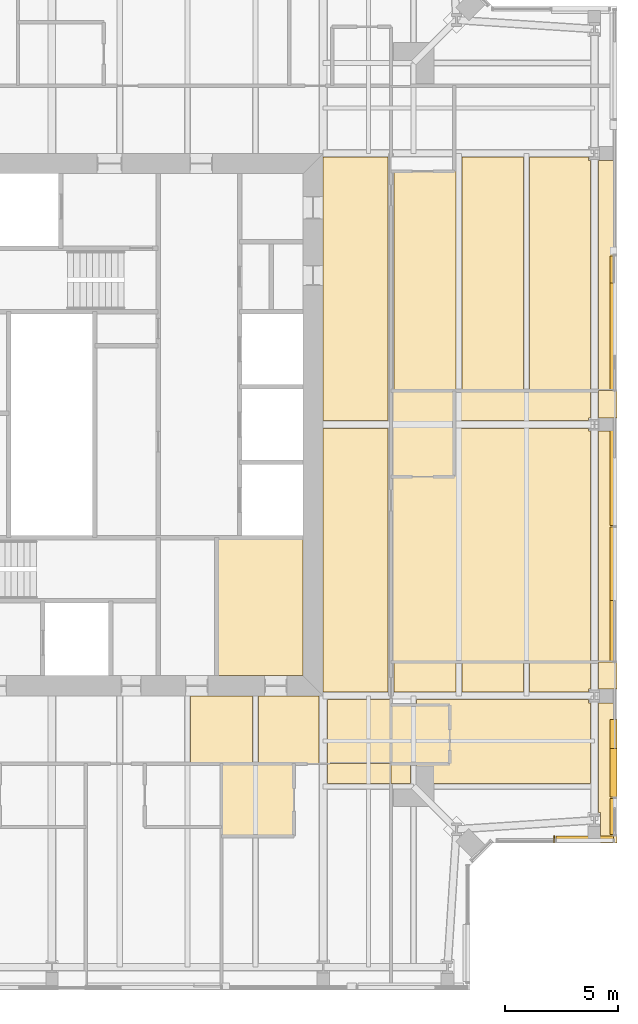
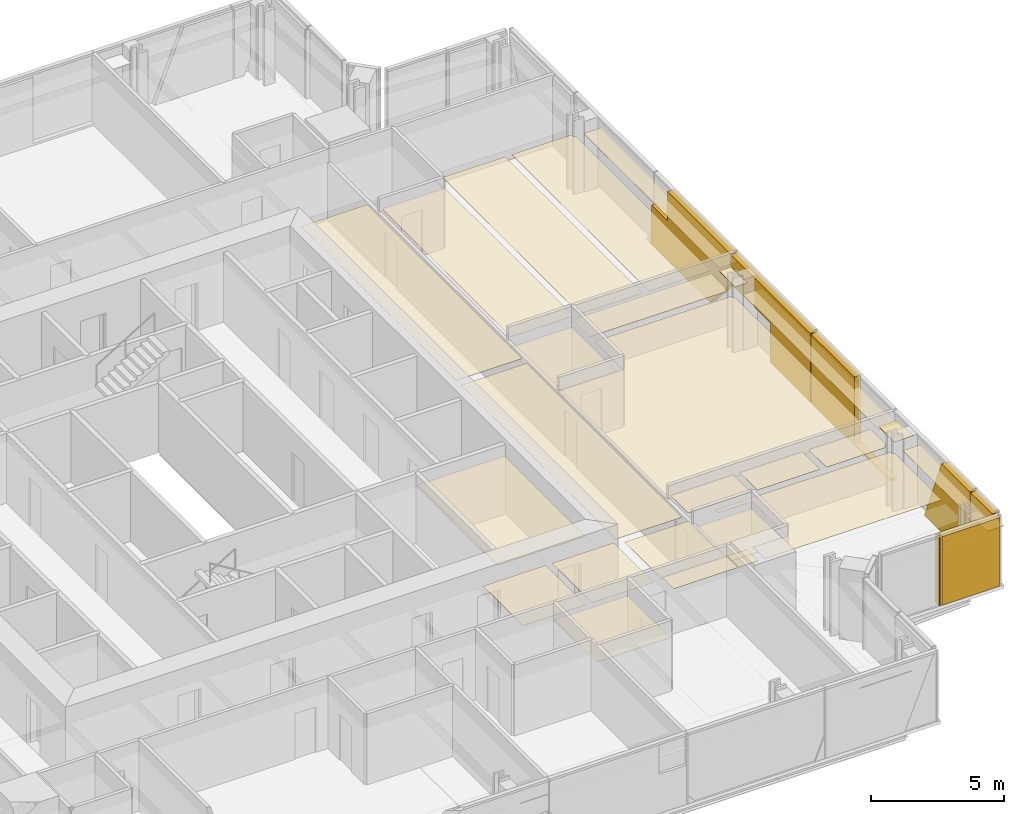
# One storey, part 17 of 20: 32 coverings.
"""IFC4 building model written with IfcOpenShell, lengths in metres."""

from ifc_helpers import new_model, si_unit, direction, frame, origin, place, context, subcontext, project, spatial, polyline, outline, extrude, material, layer, layer_set, type_object, element, save


model = new_model("IFC4")

# Units and contexts
model_context = context("Model", 3, precision=1e-05, world=origin(), true_north=direction((0.0, 1.0)))
body_context = subcontext(model_context, "Body", "Model", "MODEL_VIEW")
ifc_project = project(units=[si_unit("LENGTHUNIT", "METRE"), si_unit("AREAUNIT", "SQUARE_METRE"), si_unit("VOLUMEUNIT", "CUBIC_METRE"), si_unit("PLANEANGLEUNIT", "RADIAN"), si_unit("MASSUNIT", "GRAM", prefix="KILO")], contexts=[model_context])

# Site, building, storey
site_placement = place(None, origin())
site = spatial("IfcSite", under=ifc_project, at=site_placement, CompositionType="ELEMENT")
building_placement = place(site_placement, origin())
building = spatial("IfcBuilding", under=site, at=building_placement, Name="Fenwick Lantern Interchange", CompositionType="ELEMENT")
storey_placement = place(building_placement, frame((0.0, 0.0, 276.39990234375)))
storey = spatial("IfcBuildingStorey", under=building, at=storey_placement, Name="L66", CompositionType="ELEMENT", Elevation=276.39990234375)

# Coverings
ifc_material_1 = material(Name="Granite cladding, warm grey flamed finish, on aluminium carrier frame", Category="masonry")
ifc_layer_1 = layer(ifc_material_1, 0.300048828125)
ifc_layer_set_1 = layer_set([ifc_layer_1], Name="BRACE CASING PANEL 300")
covering_type_1 = type_object("IfcCoveringType", Name="BRACE CASING PANEL 300", PredefinedType="CLADDING", material=ifc_layer_set_1)
covering_1_placement = place(storey_placement, frame((44.45849609375, 6.60009765625, 0.0), z_axis=(0.0, 0.0, 1.0), x_axis=(1.0, 0.0, 0.0)))
element("IfcCovering", 1, at=covering_1_placement, inside=storey, type_object=covering_type_1, Name="Brace casing 04 bay 00a", PredefinedType="CLADDING", context=body_context, shape_type="SweptSolid", body=[
    extrude(outline(polyline([(2.741455078125, 0.0), (2.790771484375, 0.0), (2.790771484375, 3.150146484375), (2.741455078125, 3.150146484375), (2.741455078125, 0.0)])), frame((0.0, 0.2099609375, 0.0), z_axis=(0.0, -1.0, 0.0), x_axis=(1.0, 0.0, 0.0)), (0.0, 0.0, 1.0), 0.300048828125),
])
covering_2_placement = place(storey_placement, frame((44.45849609375, 6.60009765625, 0.0), z_axis=(0.0, 0.0, 1.0), x_axis=(1.0, 0.0, 0.0)))
element("IfcCovering", 2, at=covering_2_placement, inside=storey, type_object=covering_type_1, Name="Brace casing 04 bay 01a", PredefinedType="CLADDING", context=body_context, shape_type="SweptSolid", body=[
    extrude(outline(polyline([(2.850830078125, 0.0), (5.38134765625, 0.0), (5.38134765625, 3.150146484375), (2.850830078125, 3.150146484375), (2.850830078125, 0.0)])), frame((0.0, 0.2099609375, 0.0), z_axis=(0.0, -1.0, 0.0), x_axis=(1.0, 0.0, 0.0)), (0.0, 0.0, 1.0), 0.300048828125),
])
covering_3_placement = place(storey_placement, frame((49.89990234375, 6.60009765625, 0.0), z_axis=(0.0, 0.0, 1.0), x_axis=(0.0, 1.0, 0.0)))
element("IfcCovering", 3, at=covering_3_placement, inside=storey, type_object=covering_type_1, Name="Brace casing 05 bay 00a", PredefinedType="CLADDING", context=body_context, shape_type="SweptSolid", body=[
    extrude(outline(polyline([(1.46337890625, 0.0), (1.8701171875, 0.0), (1.8701171875, 3.150146484375), (0.260009765625, 3.150146484375), (0.260009765625, 2.9755859375), (1.46337890625, 0.0)])), frame((0.0, 0.2099609375, 0.0), z_axis=(0.0, -1.0, 0.0), x_axis=(1.0, 0.0, 0.0)), (0.0, 0.0, 1.0), 0.300048828125),
])
covering_4_placement = place(storey_placement, frame((49.89990234375, 6.60009765625, 0.0), z_axis=(0.0, 0.0, 1.0), x_axis=(0.0, 1.0, 0.0)))
element("IfcCovering", 4, at=covering_4_placement, inside=storey, type_object=covering_type_1, Name="Brace casing 05 bay 01a", PredefinedType="CLADDING", context=body_context, shape_type="SweptSolid", body=[
    extrude(outline(polyline([(1.929931640625, 0.0), (5.346435546875, 0.0), (4.07275390625, 3.150146484375), (1.929931640625, 3.150146484375), (1.929931640625, 0.0)])), frame((0.0, 0.2099609375, 0.0), z_axis=(0.0, -1.0, 0.0), x_axis=(1.0, 0.0, 0.0)), (0.0, 0.0, 1.0), 0.300048828125),
])
covering_5_placement = place(storey_placement, frame((49.89990234375, 6.60009765625, 0.0), z_axis=(0.0, 0.0, 1.0), x_axis=(0.0, 1.0, 0.0)))
element("IfcCovering", 5, at=covering_5_placement, inside=storey, type_object=covering_type_1, Name="Brace casing 05 bay 02a", PredefinedType="CLADDING", context=body_context, shape_type="SweptSolid", body=[
    extrude(outline(polyline([(7.929931640625, 0.0), (13.8701171875, 0.0), (13.8701171875, 3.150146484375), (10.6201171875, 3.150146484375), (10.6201171875, 0.097412109375), (7.929931640625, 0.097412109375), (7.929931640625, 0.0)])), frame((0.0, 0.2099609375, 0.0), z_axis=(0.0, -1.0, 0.0), x_axis=(1.0, 0.0, 0.0)), (0.0, 0.0, 1.0), 0.300048828125),
])
covering_6_placement = place(storey_placement, frame((49.89990234375, 6.60009765625, 0.0), z_axis=(0.0, 0.0, 1.0), x_axis=(0.0, 1.0, 0.0)))
element("IfcCovering", 6, at=covering_6_placement, inside=storey, type_object=covering_type_1, Name="Brace casing 05 bay 03a", PredefinedType="CLADDING", context=body_context, shape_type="SweptSolid", body=[
    extrude(outline(polyline([(13.929931640625, 0.0), (16.93017578125, 0.0), (16.93017578125, 1.8076171875), (19.8701171875, 1.8076171875), (19.8701171875, 3.150146484375), (13.929931640625, 3.150146484375), (13.929931640625, 0.0)])), frame((0.0, 0.2099609375, 0.0), z_axis=(0.0, -1.0, 0.0), x_axis=(1.0, 0.0, 0.0)), (0.0, 0.0, 1.0), 0.300048828125),
])
covering_7_placement = place(storey_placement, frame((49.89990234375, 6.60009765625, 0.0), z_axis=(0.0, 0.0, 1.0), x_axis=(0.0, 1.0, 0.0)))
element("IfcCovering", 7, at=covering_7_placement, inside=storey, type_object=covering_type_1, Name="Brace casing 05 bay 04a", PredefinedType="CLADDING", context=body_context, shape_type="SweptSolid", body=[
    extrude(outline(polyline([(21.46484375, 0.0), (25.8701171875, 0.0), (25.8701171875, 1.801513671875), (24.67626953125, 1.801513671875), (24.67626953125, 3.150146484375), (19.929931640625, 3.150146484375), (19.929931640625, 1.739501953125), (21.46484375, 0.0)])), frame((0.0, 0.2099609375, 0.0), z_axis=(0.0, -1.0, 0.0), x_axis=(1.0, 0.0, 0.0)), (0.0, 0.0, 1.0), 0.300048828125),
])
ifc_material_2 = material(Name="Moisture resistant gypsum board on suspended frame, painted")
ifc_layer_2 = layer(ifc_material_2, 0.014892578125)
ifc_layer_set_2 = layer_set([ifc_layer_2], Name="MOISTURE RESISTANT CEILING 15")
covering_type_2 = type_object("IfcCoveringType", Name="MOISTURE RESISTANT CEILING 15", PredefinedType="CEILING", material=ifc_layer_set_2)
covering_8_placement = place(storey_placement, frame((0.0, 0.0, 2.60009765625)))
element("IfcCovering", 8, at=covering_8_placement, inside=storey, type_object=covering_type_2, Name="Women's WC ceiling", PredefinedType="CEILING", context=body_context, shape_type="SweptSolid", body=[
    extrude(outline(polyline([(32.300048828125, 13.89990234375), (36.10009765625, 13.89990234375), (36.10009765625, 20.0), (32.300048828125, 20.0), (32.300048828125, 13.89990234375)])), origin(), (0.0, 0.0, 1.0), 0.014892578125),
])
covering_9_placement = place(storey_placement, frame((0.0, 0.0, 2.400146484375)))
element("IfcCovering", 9, at=covering_9_placement, inside=storey, type_object=covering_type_2, Name="En-suite 6604 ceiling", PredefinedType="CEILING", context=body_context, shape_type="SweptSolid", body=[
    extrude(outline(polyline([(32.5, 6.800048828125), (35.699951171875, 6.800048828125), (35.699951171875, 10.0), (32.5, 10.0), (32.5, 6.800048828125)])), origin(), (0.0, 0.0, 1.0), 0.014892578125),
])
covering_10_placement = place(storey_placement, frame((0.0, 0.0, 2.400146484375)))
element("IfcCovering", 10, at=covering_10_placement, inside=storey, type_object=covering_type_2, Name="En-suite 6605 ceiling", PredefinedType="CEILING", context=body_context, shape_type="SweptSolid", body=[
    extrude(outline(polyline([(42.60009765625, 10.0), (42.60009765625, 12.60009765625), (40.0, 12.60009765625), (40.0, 10.0), (42.60009765625, 10.0)])), origin(), (0.0, 0.0, 1.0), 0.014892578125),
])
covering_11_placement = place(storey_placement, frame((0.0, 0.0, 2.235107421875)))
element("IfcCovering", 11, at=covering_11_placement, inside=storey, type_object=covering_type_2, Name="En-suite 6606 ceiling", PredefinedType="CEILING", context=body_context, shape_type="SweptSolid", body=[
    extrude(outline(polyline([(42.800048828125, 22.699951171875), (42.800048828125, 26.5), (40.0, 26.5), (40.0, 22.699951171875), (42.800048828125, 22.699951171875)])), origin(), (0.0, 0.0, 1.0), 0.01513671875),
])
ifc_material_3 = material(Name="Gypsum plasterboard on suspended frame, painted")
ifc_layer_3 = layer(ifc_material_3, 0.014892578125)
ifc_layer_set_3 = layer_set([ifc_layer_3], Name="PLASTERBOARD CEILING 15")
covering_type_3 = type_object("IfcCoveringType", Name="PLASTERBOARD CEILING 15", PredefinedType="CEILING", material=ifc_layer_set_3)
covering_12_placement = place(storey_placement, frame((0.0, 0.0, 2.60009765625)))
element("IfcCovering", 12, at=covering_12_placement, inside=storey, type_object=covering_type_3, Name="Corridor ceiling", PredefinedType="CEILING", context=body_context, shape_type="SweptSolid", body=[
    extrude(outline(polyline([(37.0, 24.824951171875), (37.0, 13.166015625), (39.865478515625, 13.166015625), (39.865478515625, 24.824951171875), (37.0, 24.824951171875)])), origin(), (0.0, 0.0, 1.0), 0.014892578125),
])
covering_13_placement = place(storey_placement, frame((0.0, 0.0, 2.60009765625)))
element("IfcCovering", 13, at=covering_13_placement, inside=storey, type_object=covering_type_3, Name="Corridor ceiling", PredefinedType="CEILING", context=body_context, shape_type="SweptSolid", body=[
    extrude(outline(polyline([(37.0, 36.833984375), (37.0, 25.175048828125), (39.865478515625, 25.175048828125), (39.865478515625, 36.833984375), (37.0, 36.833984375)])), origin(), (0.0, 0.0, 1.0), 0.014892578125),
])
covering_14_placement = place(storey_placement, frame((0.0, 0.0, 2.60009765625)))
element("IfcCovering", 14, at=covering_14_placement, inside=storey, type_object=covering_type_3, Name="Corridor ceiling", PredefinedType="CEILING", context=body_context, shape_type="SweptSolid", body=[
    extrude(outline(polyline([(31.134521484375, 10.0), (33.865478515625, 10.0), (33.865478515625, 13.0), (31.134521484375, 13.0), (31.134521484375, 10.0)])), origin(), (0.0, 0.0, 1.0), 0.014892578125),
])
covering_15_placement = place(storey_placement, frame((0.0, 0.0, 2.60009765625)))
element("IfcCovering", 15, at=covering_15_placement, inside=storey, type_object=covering_type_3, Name="Corridor ceiling", PredefinedType="CEILING", context=body_context, shape_type="SweptSolid", body=[
    extrude(outline(polyline([(34.134521484375, 10.0), (36.816162109375, 10.0), (36.816162109375, 13.0), (34.134521484375, 13.0), (34.134521484375, 10.0)])), origin(), (0.0, 0.0, 1.0), 0.014892578125),
])
covering_16_placement = place(storey_placement, frame((0.0, 0.0, 2.60009765625)))
element("IfcCovering", 16, at=covering_16_placement, inside=storey, type_object=covering_type_3, Name="Corridor ceiling", PredefinedType="CEILING", context=body_context, shape_type="SweptSolid", body=[
    extrude(outline(polyline([(40.0, 10.0), (40.0, 12.833984375), (37.183837890625, 12.833984375), (37.183837890625, 10.0), (40.0, 10.0)])), origin(), (0.0, 0.0, 1.0), 0.014892578125),
])
covering_17_placement = place(storey_placement, frame((0.0, 0.0, 2.7001953125)))
element("IfcCovering", 17, at=covering_17_placement, inside=storey, type_object=covering_type_3, Name="Guest room 6604 ceiling", PredefinedType="CEILING", context=body_context, shape_type="SweptSolid", body=[
    extrude(outline(polyline([(40.0, 10.0), (37.183837890625, 10.0), (37.183837890625, 9.134521484375), (40.0, 9.134521484375), (40.0, 10.0)])), origin(), (0.0, 0.0, 1.0), 0.014892578125),
])
covering_18_placement = place(storey_placement, frame((0.0, 0.0, 2.7001953125)))
element("IfcCovering", 18, at=covering_18_placement, inside=storey, type_object=covering_type_3, Name="Guest suite 6605 ceiling", PredefinedType="CEILING", context=body_context, shape_type="SweptSolid", body=[
    extrude(outline(polyline([(42.60009765625, 10.0), (41.134521484375, 10.0), (41.134521484375, 9.134521484375), (48.82763671875, 9.134521484375), (48.82763671875, 12.6845703125), (48.72900390625, 12.6845703125), (48.72900390625, 12.833984375), (41.134521484375, 12.833984375), (41.134521484375, 12.60009765625), (42.60009765625, 12.60009765625), (42.60009765625, 10.0)])), origin(), (0.0, 0.0, 1.0), 0.014892578125),
])
covering_19_placement = place(storey_placement, frame((0.0, 0.0, 2.7001953125)))
element("IfcCovering", 19, at=covering_19_placement, inside=storey, type_object=covering_type_3, Name="Guest suite 6605 ceiling", PredefinedType="CEILING", context=body_context, shape_type="SweptSolid", body=[
    extrude(outline(polyline([(50.0, 12.6845703125), (49.17236328125, 12.6845703125), (49.17236328125, 7.83447265625), (49.27734375, 7.83447265625), (49.27734375, 6.5), (50.0, 6.5), (50.0, 12.6845703125)])), origin(), (0.0, 0.0, 1.0), 0.014892578125),
])
covering_20_placement = place(storey_placement, frame((0.0, 0.0, 2.7001953125)))
element("IfcCovering", 20, at=covering_20_placement, inside=storey, type_object=covering_type_3, Name="Guest suite 6605 ceiling", PredefinedType="CEILING", context=body_context, shape_type="SweptSolid", body=[
    extrude(outline(polyline([(42.865478515625, 14.5), (40.134521484375, 14.5), (40.134521484375, 13.166015625), (42.865478515625, 13.166015625), (42.865478515625, 14.5)])), origin(), (0.0, 0.0, 1.0), 0.014892578125),
])
covering_21_placement = place(storey_placement, frame((0.0, 0.0, 2.7001953125)))
element("IfcCovering", 21, at=covering_21_placement, inside=storey, type_object=covering_type_3, Name="Guest suite 6605 ceiling", PredefinedType="CEILING", context=body_context, shape_type="SweptSolid", body=[
    extrude(outline(polyline([(45.865478515625, 14.5), (43.134521484375, 14.5), (43.134521484375, 13.166015625), (45.865478515625, 13.166015625), (45.865478515625, 14.5)])), origin(), (0.0, 0.0, 1.0), 0.014892578125),
])
covering_22_placement = place(storey_placement, frame((0.0, 0.0, 2.7001953125)))
element("IfcCovering", 22, at=covering_22_placement, inside=storey, type_object=covering_type_3, Name="Guest suite 6605 ceiling", PredefinedType="CEILING", context=body_context, shape_type="SweptSolid", body=[
    extrude(outline(polyline([(48.82763671875, 14.5), (46.134521484375, 14.5), (46.134521484375, 13.166015625), (48.72900390625, 13.166015625), (48.72900390625, 13.3154296875), (48.82763671875, 13.3154296875), (48.82763671875, 14.5)])), origin(), (0.0, 0.0, 1.0), 0.014892578125),
])
covering_23_placement = place(storey_placement, frame((0.0, 0.0, 2.7001953125)))
element("IfcCovering", 23, at=covering_23_placement, inside=storey, type_object=covering_type_3, Name="Guest suite 6605 ceiling", PredefinedType="CEILING", context=body_context, shape_type="SweptSolid", body=[
    extrude(outline(polyline([(50.0, 14.5), (49.17236328125, 14.5), (49.17236328125, 13.3154296875), (50.0, 13.3154296875), (50.0, 14.5)])), origin(), (0.0, 0.0, 1.0), 0.014892578125),
])
covering_24_placement = place(storey_placement, frame((0.0, 0.0, 2.7001953125)))
element("IfcCovering", 24, at=covering_24_placement, inside=storey, type_object=covering_type_3, Name="Guest suite 6605 ceiling", PredefinedType="CEILING", context=body_context, shape_type="SweptSolid", body=[
    extrude(outline(polyline([(40.0, 10.0), (40.0, 9.134521484375), (40.865478515625, 9.134521484375), (40.865478515625, 10.0), (40.0, 10.0)])), origin(), (0.0, 0.0, 1.0), 0.014892578125),
])
covering_25_placement = place(storey_placement, frame((0.0, 0.0, 2.572998046875)))
element("IfcCovering", 25, at=covering_25_placement, inside=storey, type_object=covering_type_3, Name="Guest suite 6606 ceiling", PredefinedType="CEILING", context=body_context, shape_type="SweptSolid", body=[
    extrude(outline(polyline([(48.73779296875, 24.71240234375), (48.73779296875, 24.824951171875), (42.800048828125, 24.824951171875), (42.800048828125, 22.699951171875), (40.0, 22.699951171875), (40.0, 14.5), (48.82763671875, 14.5), (48.82763671875, 24.71240234375), (48.73779296875, 24.71240234375)])), origin(), (0.0, 0.0, 1.0), 0.014892578125),
])
covering_26_placement = place(storey_placement, frame((0.0, 0.0, 2.572998046875)))
element("IfcCovering", 26, at=covering_26_placement, inside=storey, type_object=covering_type_3, Name="Guest suite 6606 ceiling", PredefinedType="CEILING", context=body_context, shape_type="SweptSolid", body=[
    extrude(outline(polyline([(50.0, 24.71240234375), (49.17236328125, 24.71240234375), (49.17236328125, 14.5), (50.0, 14.5), (50.0, 24.71240234375)])), origin(), (0.0, 0.0, 1.0), 0.014892578125),
])
covering_27_placement = place(storey_placement, frame((0.0, 0.0, 2.572998046875)))
element("IfcCovering", 27, at=covering_27_placement, inside=storey, type_object=covering_type_3, Name="Guest suite 6606 ceiling", PredefinedType="CEILING", context=body_context, shape_type="SweptSolid", body=[
    extrude(outline(polyline([(48.73779296875, 25.28759765625), (48.82763671875, 25.28759765625), (48.82763671875, 26.5), (42.800048828125, 26.5), (42.800048828125, 25.175048828125), (48.73779296875, 25.175048828125), (48.73779296875, 25.28759765625)])), origin(), (0.0, 0.0, 1.0), 0.014892578125),
])
covering_28_placement = place(storey_placement, frame((0.0, 0.0, 2.572998046875)))
element("IfcCovering", 28, at=covering_28_placement, inside=storey, type_object=covering_type_3, Name="Guest suite 6606 ceiling", PredefinedType="CEILING", context=body_context, shape_type="SweptSolid", body=[
    extrude(outline(polyline([(49.17236328125, 25.28759765625), (50.0, 25.28759765625), (50.0, 26.5), (49.17236328125, 26.5), (49.17236328125, 25.28759765625)])), origin(), (0.0, 0.0, 1.0), 0.014892578125),
])
covering_29_placement = place(storey_placement, frame((0.0, 0.0, 2.7001953125)))
element("IfcCovering", 29, at=covering_29_placement, inside=storey, type_object=covering_type_3, Name="Guest suite 6607 ceiling", PredefinedType="CEILING", context=body_context, shape_type="SweptSolid", body=[
    extrude(outline(polyline([(43.134521484375, 26.5), (45.865478515625, 26.5), (45.865478515625, 36.833984375), (43.134521484375, 36.833984375), (43.134521484375, 26.5)])), origin(), (0.0, 0.0, 1.0), 0.014892578125),
])
covering_30_placement = place(storey_placement, frame((0.0, 0.0, 2.7001953125)))
element("IfcCovering", 30, at=covering_30_placement, inside=storey, type_object=covering_type_3, Name="Guest suite 6607 ceiling", PredefinedType="CEILING", context=body_context, shape_type="SweptSolid", body=[
    extrude(outline(polyline([(48.72900390625, 36.6845703125), (48.72900390625, 36.833984375), (46.134521484375, 36.833984375), (46.134521484375, 26.5), (48.82763671875, 26.5), (48.82763671875, 36.6845703125), (48.72900390625, 36.6845703125)])), origin(), (0.0, 0.0, 1.0), 0.014892578125),
])
covering_31_placement = place(storey_placement, frame((0.0, 0.0, 2.7001953125)))
element("IfcCovering", 31, at=covering_31_placement, inside=storey, type_object=covering_type_3, Name="Guest suite 6607 ceiling", PredefinedType="CEILING", context=body_context, shape_type="SweptSolid", body=[
    extrude(outline(polyline([(40.134521484375, 26.5), (42.865478515625, 26.5), (42.865478515625, 36.833984375), (42.800048828125, 36.833984375), (42.800048828125, 36.199951171875), (40.134521484375, 36.199951171875), (40.134521484375, 26.5)])), origin(), (0.0, 0.0, 1.0), 0.014892578125),
])
covering_32_placement = place(storey_placement, frame((0.0, 0.0, 2.7001953125)))
element("IfcCovering", 32, at=covering_32_placement, inside=storey, type_object=covering_type_3, Name="Guest suite 6607 ceiling", PredefinedType="CEILING", context=body_context, shape_type="SweptSolid", body=[
    extrude(outline(polyline([(50.0, 36.6845703125), (49.17236328125, 36.6845703125), (49.17236328125, 26.5), (50.0, 26.5), (50.0, 36.6845703125)])), origin(), (0.0, 0.0, 1.0), 0.014892578125),
])

save(model, "model.ifc")
